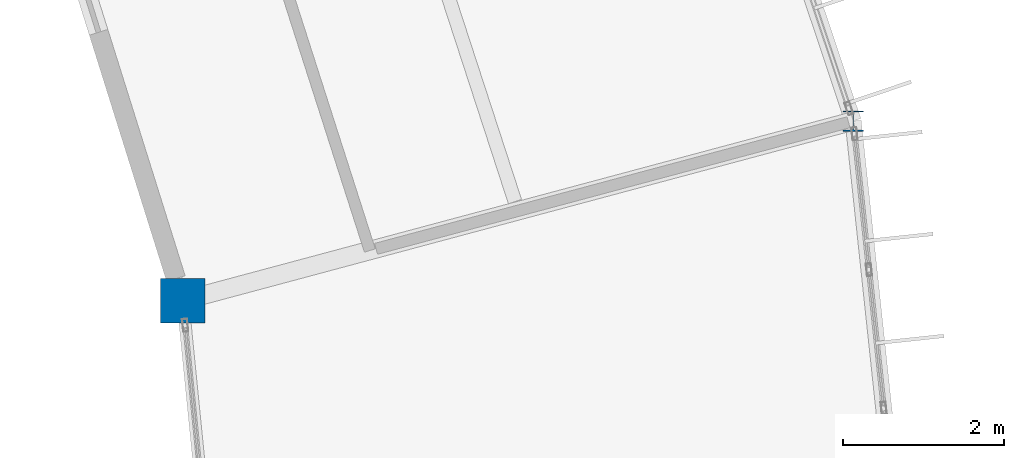
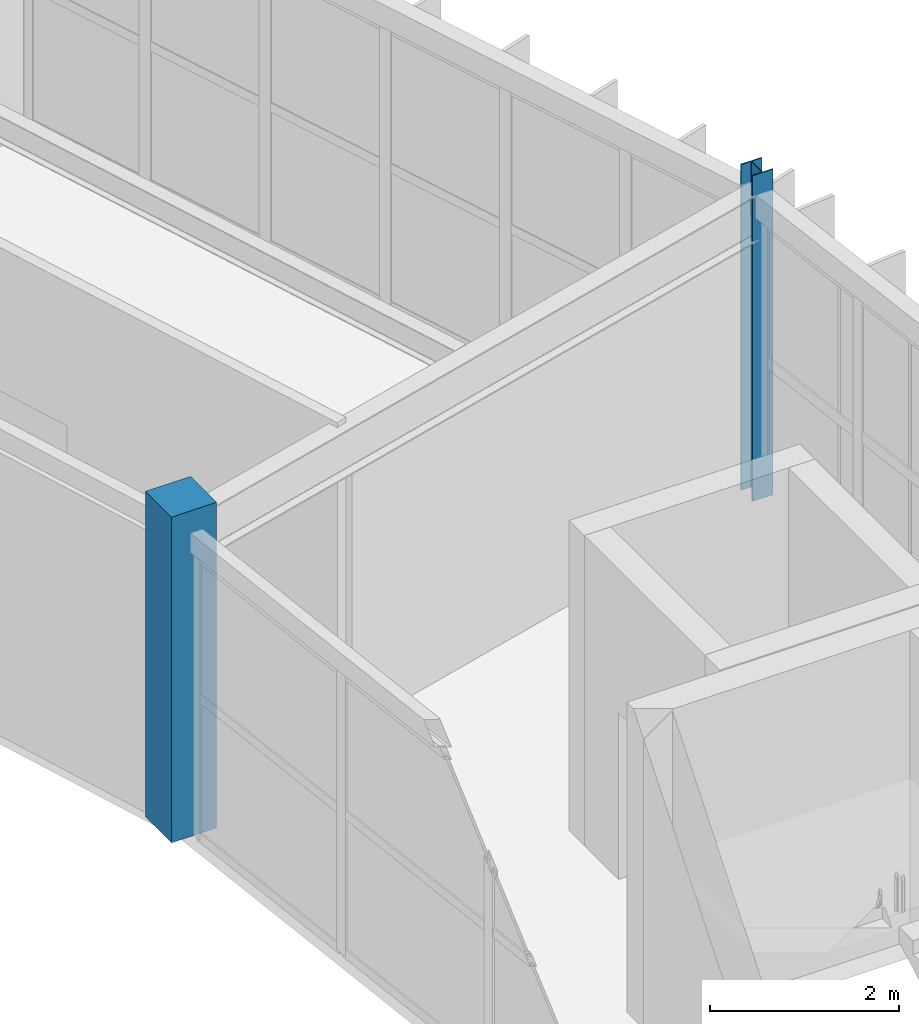
# One storey, part 7 of 106: 2 columns.
"""IFC4 building model written with IfcOpenShell, lengths in metres."""

from ifc_helpers import new_model, si_unit, direction, frame, origin, origin_2d, place, context, subcontext, project, spatial, rectangle, i_section, extrude, material, material_profile, profile_set, type_object, element, save


model = new_model("IFC4")

# Units and contexts
model_context = context("Model", 3, precision=1e-05, world=origin(), true_north=direction((0.0, 1.0)))
body_context = subcontext(model_context, "Body", "Model", "MODEL_VIEW")
ifc_project = project(units=[si_unit("LENGTHUNIT", "METRE"), si_unit("AREAUNIT", "SQUARE_METRE"), si_unit("VOLUMEUNIT", "CUBIC_METRE"), si_unit("PLANEANGLEUNIT", "RADIAN"), si_unit("MASSUNIT", "GRAM", prefix="KILO")], contexts=[model_context])

# Site, building, storey
site_placement = place(None, origin())
site = spatial("IfcSite", under=ifc_project, at=site_placement, CompositionType="ELEMENT")
building_placement = place(site_placement, origin())
building = spatial("IfcBuilding", under=site, at=building_placement, Name="Karori Crest Natural Sciences Institute", CompositionType="ELEMENT")
storey_placement = place(building_placement, frame((0.0, 0.0, 25.89990234375)))
storey = spatial("IfcBuildingStorey", under=building, at=storey_placement, Name="L06", CompositionType="ELEMENT", Elevation=25.89990234375)

# Columns
ifc_material_1 = material(Name="Structural steel AS/NZS 3679.1 Grade 350", Category="steel")
ifc_material_profile_1 = material_profile(ifc_material_1, i_section(OverallWidth=0.25390625, OverallDepth=0.25390625, WebThickness=0.008544921875, FlangeThickness=0.01416015625, FilletRadius=0.013916015625, at=origin_2d()), Name="250UC72.9")
ifc_profile_set_1 = profile_set([ifc_material_profile_1], Name="Structural steel AS/NZS 3679.1 Grade 350")
column_type_1 = type_object("IfcColumnType", Name="CT-07", PredefinedType="COLUMN", material=ifc_profile_set_1)
column_1_placement = place(storey_placement, frame((98.275634765625, 60.459716796875, 0.0), z_axis=(0.0, 0.0, 1.0), x_axis=(1.0, 0.0, 0.0)))
element("IfcColumn", 1, at=column_1_placement, inside=storey, type_object=column_type_1, Name="Column C-0033", PredefinedType="COLUMN", context=body_context, shape_type="SweptSolid", body=[
    extrude(i_section(OverallWidth=0.25390625, OverallDepth=0.25390625, WebThickness=0.008544921875, FlangeThickness=0.01416015625, FilletRadius=0.013916015625, at=origin_2d()), origin(), (0.0, 0.0, 1.0), 4.2001953125),
])
ifc_material_2 = material(Name="Concrete 50 MPa", Category="concrete")
ifc_material_profile_2 = material_profile(ifc_material_2, rectangle(XDim=0.550048828125, YDim=0.550048828125, at=origin_2d()), Name="RC550x550")
ifc_profile_set_2 = profile_set([ifc_material_profile_2], Name="Concrete 50 MPa")
column_type_2 = type_object("IfcColumnType", Name="CT-30", PredefinedType="COLUMN", material=ifc_profile_set_2)
column_2_placement = place(storey_placement, frame((89.968505859375, 58.23388671875, 0.0), z_axis=(0.0, 0.0, 1.0), x_axis=(1.0, 0.0, 0.0)))
element("IfcColumn", 2, at=column_2_placement, inside=storey, type_object=column_type_2, Name="Column C-0034", PredefinedType="COLUMN", context=body_context, shape_type="SweptSolid", body=[
    extrude(rectangle(XDim=0.550048828125, YDim=0.550048828125, at=origin_2d()), origin(), (0.0, 0.0, 1.0), 4.2001953125),
])

save(model, "model.ifc")
